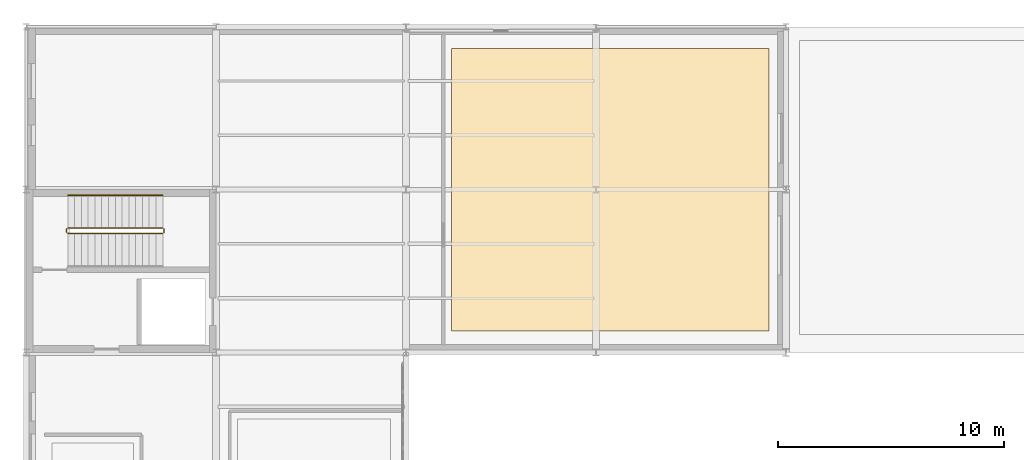
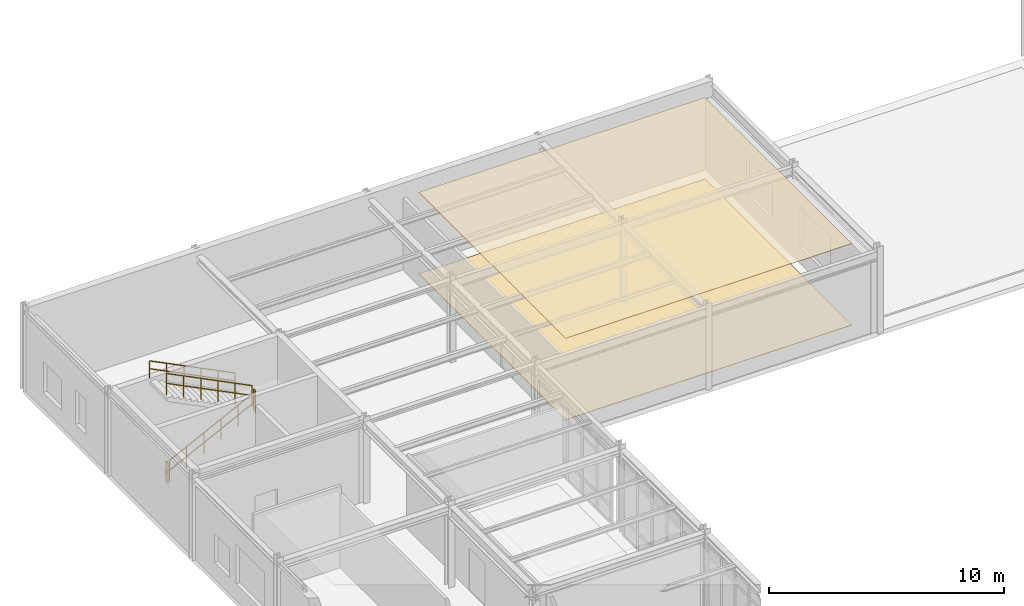
# One storey, part 100 of 106: 5 railings, 2 coverings.
"""IFC4 building model written with IfcOpenShell, lengths in metres."""

from ifc_helpers import new_model, si_unit, derived_unit, direction, frame, origin, origin_2d, place, context, subcontext, project, spatial, polyline, circle, outline, extrude, material, layer, layer_set, type_object, element, save


model = new_model("IFC4")

# Units and contexts
model_context = context("Model", 3, precision=1e-05, world=origin(), true_north=direction((0.0, 1.0)))
body_context = subcontext(model_context, "Body", "Model", "MODEL_VIEW")
ifc_project = project(units=[si_unit("LENGTHUNIT", "METRE"), si_unit("AREAUNIT", "SQUARE_METRE"), si_unit("VOLUMEUNIT", "CUBIC_METRE"), si_unit("PLANEANGLEUNIT", "RADIAN"), si_unit("MASSUNIT", "GRAM", prefix="KILO"), derived_unit("THERMALTRANSMITTANCEUNIT", [(si_unit("POWERUNIT", "WATT"), 1), (si_unit("AREAUNIT", "SQUARE_METRE"), -1), (si_unit("THERMODYNAMICTEMPERATUREUNIT", "KELVIN"), -1)])], contexts=[model_context])

# Site, building, storey
site_placement = place(None, origin())
site = spatial("IfcSite", under=ifc_project, at=site_placement, CompositionType="ELEMENT")
building_placement = place(site_placement, origin())
building = spatial("IfcBuilding", under=site, at=building_placement, Name="Yasenodar Specialist Clinic", CompositionType="ELEMENT")
storey_placement = place(building_placement, frame((0.0, 0.0, 4.5)))
storey = spatial("IfcBuildingStorey", under=building, at=storey_placement, Name="L01", CompositionType="ELEMENT", Elevation=4.5)

# Coverings
ifc_material_1 = material(Name="Hygienic Acoustic Mineral-Fibre Ceiling")
ifc_layer_1 = layer(ifc_material_1, 0.02490234375)
ifc_layer_set_1 = layer_set([ifc_layer_1], Name="Hygienic Acoustic Mineral-Fibre Ceiling")
covering_type_1 = type_object("IfcCoveringType", Name="COV-CEIL-AC", PredefinedType="CEILING", material=ifc_layer_set_1)
covering_1_placement = place(storey_placement, frame((0.0, 0.0, 4.22509765625)))
element("IfcCovering", 1, at=covering_1_placement, inside=storey, type_object=covering_type_1, Name="L01 Endocrinology Specialist Clinic Acoustic Ceiling", PredefinedType="CEILING", context=body_context, shape_type="SweptSolid", body=[
    extrude(outline(polyline([(32.85009765625, 98.14990234375), (18.800048828125, 98.14990234375), (18.800048828125, 110.64990234375), (32.85009765625, 110.64990234375), (32.85009765625, 98.14990234375)])), origin(), (0.0, 0.0, 1.0), 0.02490234375),
])
ifc_material_2 = material(Name="Seamless Epoxy Terrazzo Clinical Flooring")
ifc_layer_2 = layer(ifc_material_2, 0.02001953125)
ifc_layer_set_2 = layer_set([ifc_layer_2], Name="Seamless Epoxy Terrazzo Clinical Flooring")
covering_type_2 = type_object("IfcCoveringType", Name="COV-FLR-TERR", PredefinedType="FLOORING", material=ifc_layer_set_2)
covering_2_placement = place(storey_placement, origin())
element("IfcCovering", 2, at=covering_2_placement, inside=storey, type_object=covering_type_2, Name="L01 Endocrinology Specialist Clinic Terrazzo Flooring", PredefinedType="FLOORING", context=body_context, shape_type="SweptSolid", body=[
    extrude(outline(polyline([(32.85009765625, 98.14990234375), (18.800048828125, 98.14990234375), (18.800048828125, 110.64990234375), (32.85009765625, 110.64990234375), (32.85009765625, 98.14990234375)])), origin(), (0.0, 0.0, 1.0), 0.02001953125),
])

# Railings
ifc_material_3 = material(Name="Steel S355 Painted Stair Guardrail", Category="steel")
railing_type_1 = type_object("IfcRailingType", Name="RL-ST-GRD", PredefinedType="GUARDRAIL", material=ifc_material_3)
railing_1_placement = place(storey_placement, frame((1.840087890625, 102.449951171875, 0.14990234375)))
element("IfcRailing", 3, at=railing_1_placement, inside=storey, type_object=railing_type_1, Name="L01 ST-02 stair guard 1", PredefinedType="GUARDRAIL", context=body_context, shape_type="SweptSolid", body=[
    extrude(circle(Radius=0.02392578125, at=origin_2d()), frame((0.0, 0.0, 1.09619140625), z_axis=(0.894416792377, 0.0, 0.447234392142), x_axis=(0.0, 1.0, 0.0)), (0.0, 0.0, 1.0), 4.69580078125),
    extrude(circle(Radius=0.02392578125, at=origin_2d()), frame((0.0, 0.0, 0.58251953125), z_axis=(0.894416792377, 0.0, 0.447234392142), x_axis=(0.0, 1.0, 0.0)), (0.0, 0.0, 1.0), 4.69580078125),
    extrude(circle(Radius=0.02099609375, at=origin_2d()), origin(), (0.0, 0.0, 1.0), 1.072021484375),
    extrude(circle(Radius=0.02099609375, at=origin_2d()), frame((0.840087890625, 0.0, 0.419921875)), (0.0, 0.0, 1.0), 1.072021484375),
    extrude(circle(Radius=0.02099609375, at=origin_2d()), frame((1.679931640625, 0.0, 0.840087890625)), (0.0, 0.0, 1.0), 1.072021484375),
    extrude(circle(Radius=0.02099609375, at=origin_2d()), frame((2.52001953125, 0.0, 1.260009765625)), (0.0, 0.0, 1.0), 1.072021484375),
    extrude(circle(Radius=0.02099609375, at=origin_2d()), frame((3.35986328125, 0.0, 1.68017578125)), (0.0, 0.0, 1.0), 1.072021484375),
    extrude(circle(Radius=0.02099609375, at=origin_2d()), frame((4.199951171875, 0.0, 2.10009765625)), (0.0, 0.0, 1.0), 1.072021484375),
])
railing_2_placement = place(storey_placement, frame((6.090087890625, 102.5, 2.25)))
element("IfcRailing", 4, at=railing_2_placement, inside=storey, type_object=railing_type_1, Name="L01 ST-02 stair guard 2", PredefinedType="GUARDRAIL", context=body_context, shape_type="SweptSolid", body=[
    extrude(circle(Radius=0.02392578125, at=origin_2d()), frame((0.0, 0.0, 1.09619140625), z_axis=(0.0, 1.0, 0.0), x_axis=(-1.0, 0.0, 0.0)), (0.0, 0.0, 1.0), 0.159912109375),
    extrude(circle(Radius=0.02392578125, at=origin_2d()), frame((0.0, 0.0, 0.58251953125), z_axis=(0.0, 1.0, 0.0), x_axis=(-1.0, 0.0, 0.0)), (0.0, 0.0, 1.0), 0.159912109375),
    extrude(circle(Radius=0.02099609375, at=origin_2d()), origin(), (0.0, 0.0, 1.0), 1.072021484375),
    extrude(circle(Radius=0.02099609375, at=origin_2d()), frame((0.0, 0.159912109375, 0.0)), (0.0, 0.0, 1.0), 1.072021484375),
])
railing_3_placement = place(storey_placement, frame((6.0400390625, 102.7099609375, 2.39990234375)))
element("IfcRailing", 5, at=railing_3_placement, inside=storey, type_object=railing_type_1, Name="L01 ST-02 stair guard 3", PredefinedType="GUARDRAIL", context=body_context, shape_type="SweptSolid", body=[
    extrude(circle(Radius=0.02392578125, at=origin_2d()), frame((0.0, 0.0, 1.09619140625), z_axis=(-0.894416792377, 0.0, 0.447234392142), x_axis=(0.0, -1.0, 0.0)), (0.0, 0.0, 1.0), 4.69580078125),
    extrude(circle(Radius=0.02392578125, at=origin_2d()), frame((0.0, 0.0, 0.58251953125), z_axis=(-0.894416792377, 0.0, 0.447234392142), x_axis=(0.0, -1.0, 0.0)), (0.0, 0.0, 1.0), 4.69580078125),
    extrude(circle(Radius=0.02099609375, at=origin_2d()), origin(), (0.0, 0.0, 1.0), 1.072021484375),
    extrude(circle(Radius=0.02099609375, at=origin_2d()), frame((-0.840087890625, 0.0, 0.419921875)), (0.0, 0.0, 1.0), 1.072021484375),
    extrude(circle(Radius=0.02099609375, at=origin_2d()), frame((-1.679931640625, 0.0, 0.840087890625)), (0.0, 0.0, 1.0), 1.072021484375),
    extrude(circle(Radius=0.02099609375, at=origin_2d()), frame((-2.52001953125, 0.0, 1.260009765625)), (0.0, 0.0, 1.0), 1.072021484375),
    extrude(circle(Radius=0.02099609375, at=origin_2d()), frame((-3.35986328125, 0.0, 1.68017578125)), (0.0, 0.0, 1.0), 1.072021484375),
    extrude(circle(Radius=0.02099609375, at=origin_2d()), frame((-4.199951171875, 0.0, 2.10009765625)), (0.0, 0.0, 1.0), 1.072021484375),
])
railing_4_placement = place(storey_placement, frame((1.7900390625, 102.5, 0.0)))
element("IfcRailing", 6, at=railing_4_placement, inside=storey, type_object=railing_type_1, Name="L01 ST-02 stair guard 4", PredefinedType="GUARDRAIL", context=body_context, shape_type="SweptSolid", body=[
    extrude(circle(Radius=0.02392578125, at=origin_2d()), frame((0.0, 0.0, 1.09619140625), z_axis=(0.0, 1.0, 0.0), x_axis=(-1.0, 0.0, 0.0)), (0.0, 0.0, 1.0), 0.159912109375),
    extrude(circle(Radius=0.02392578125, at=origin_2d()), frame((0.0, 0.0, 0.58251953125), z_axis=(0.0, 1.0, 0.0), x_axis=(-1.0, 0.0, 0.0)), (0.0, 0.0, 1.0), 0.159912109375),
    extrude(circle(Radius=0.02099609375, at=origin_2d()), origin(), (0.0, 0.0, 1.0), 1.072021484375),
    extrude(circle(Radius=0.02099609375, at=origin_2d()), frame((0.0, 0.159912109375, 0.0)), (0.0, 0.0, 1.0), 1.072021484375),
])
ifc_material_4 = material(Name="Brushed Stainless Steel Handrail", Category="steel")
railing_type_2 = type_object("IfcRailingType", Name="RL-ST-HND", PredefinedType="HANDRAIL", material=ifc_material_4)
railing_5_placement = place(storey_placement, frame((6.0400390625, 104.14990234375, 2.39990234375)))
element("IfcRailing", 7, at=railing_5_placement, inside=storey, type_object=railing_type_2, Name="L01 ST-02 stair handrail 2", PredefinedType="HANDRAIL", context=body_context, shape_type="SweptSolid", body=[
    extrude(circle(Radius=0.02392578125, at=origin_2d()), frame((0.0, 0.0, 0.8759765625), z_axis=(-0.894416792377, 0.0, 0.447234392142), x_axis=(0.0, -1.0, 0.0)), (0.0, 0.0, 1.0), 4.69580078125),
    extrude(circle(Radius=0.02392578125, at=origin_2d()), frame((0.0, 0.0, 0.468017578125), z_axis=(-0.894416792377, 0.0, 0.447234392142), x_axis=(0.0, -1.0, 0.0)), (0.0, 0.0, 1.0), 4.69580078125),
    extrude(circle(Radius=0.02099609375, at=origin_2d()), origin(), (0.0, 0.0, 1.0), 0.851806640625),
    extrude(circle(Radius=0.02099609375, at=origin_2d()), frame((-0.840087890625, 0.0, 0.419921875)), (0.0, 0.0, 1.0), 0.851806640625),
    extrude(circle(Radius=0.02099609375, at=origin_2d()), frame((-1.679931640625, 0.0, 0.840087890625)), (0.0, 0.0, 1.0), 0.851806640625),
    extrude(circle(Radius=0.02099609375, at=origin_2d()), frame((-2.52001953125, 0.0, 1.260009765625)), (0.0, 0.0, 1.0), 0.851806640625),
    extrude(circle(Radius=0.02099609375, at=origin_2d()), frame((-3.35986328125, 0.0, 1.68017578125)), (0.0, 0.0, 1.0), 0.851806640625),
    extrude(circle(Radius=0.02099609375, at=origin_2d()), frame((-4.199951171875, 0.0, 2.10009765625)), (0.0, 0.0, 1.0), 0.851806640625),
])

save(model, "model.ifc")
